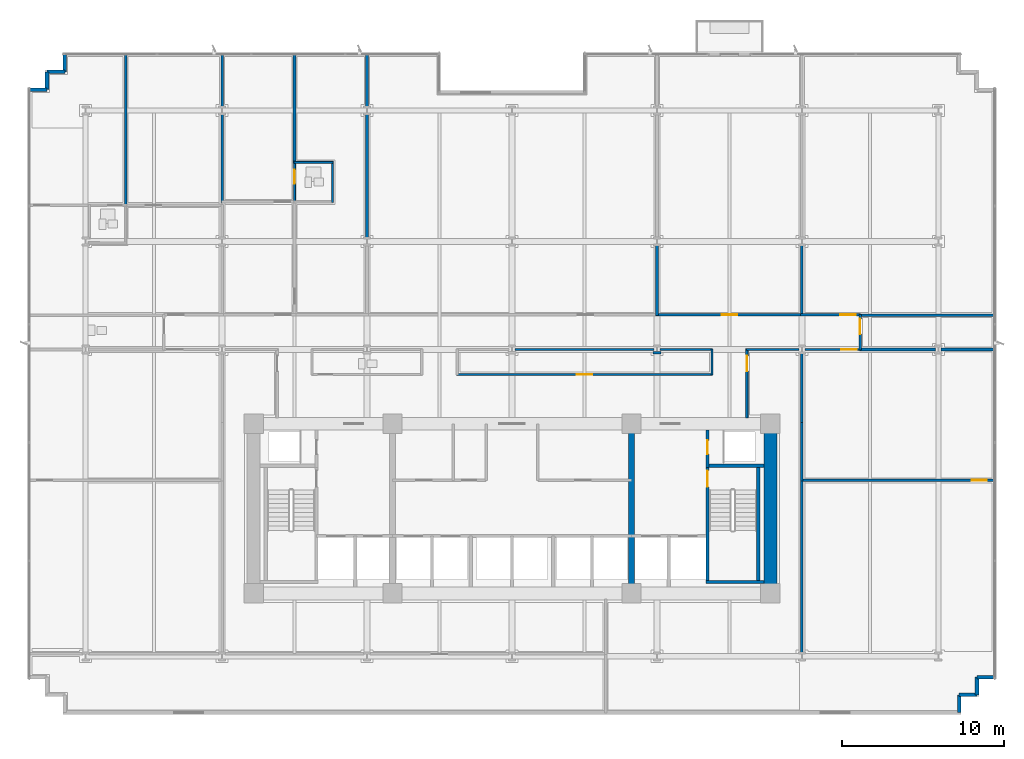
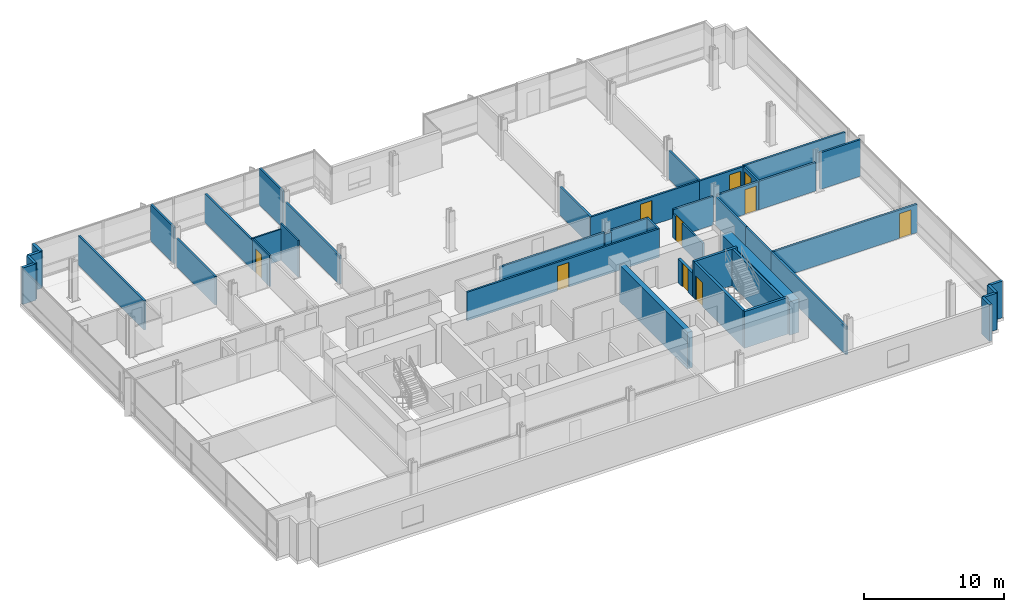
# One storey, part 14 of 20: 44 walls, 10 doors, 10 openings.
"""IFC4 building model written with IfcOpenShell, lengths in metres."""

from ifc_helpers import new_model, si_unit, direction, frame, frame_2d, origin, place, context, subcontext, project, spatial, rectangle, extrude, material, layer, layer_set, type_object, element, fill, save


model = new_model("IFC4")

# Units and contexts
model_context = context("Model", 3, precision=1e-05, world=origin(), true_north=direction((0.0, 1.0)))
body_context = subcontext(model_context, "Body", "Model", "MODEL_VIEW")
ifc_project = project(units=[si_unit("LENGTHUNIT", "METRE"), si_unit("AREAUNIT", "SQUARE_METRE"), si_unit("VOLUMEUNIT", "CUBIC_METRE"), si_unit("PLANEANGLEUNIT", "RADIAN"), si_unit("MASSUNIT", "GRAM", prefix="KILO")], contexts=[model_context])

# Site, building, storey
site_placement = place(None, origin())
site = spatial("IfcSite", under=ifc_project, at=site_placement, CompositionType="ELEMENT")
building_placement = place(site_placement, origin())
building = spatial("IfcBuilding", under=site, at=building_placement, Name="Solmavex Isthmus Hotel", CompositionType="ELEMENT")
storey_placement = place(building_placement, frame((0.0, 0.0, 57.449951171875)))
storey = spatial("IfcBuildingStorey", under=building, at=storey_placement, Name="L15", CompositionType="ELEMENT", Elevation=57.449951171875)

# Walls
ifc_material_1 = material(Name="Precast Concrete C40/50", Category="concrete")
ifc_layer_1 = layer(ifc_material_1, 0.25)
ifc_layer_set_1 = layer_set([ifc_layer_1], Name="Precast Concrete C40/50")
wall_type_1 = type_object("IfcWallType", Name="EW-TWR-250", PredefinedType="STANDARD", material=ifc_layer_set_1)
wall_1_placement = place(storey_placement, frame((-29.889892578125, 18.18994140625, 0.0), z_axis=(0.0, 0.0, 1.0), x_axis=(1.0, 0.0, 0.0)))
element("IfcWall", 1, at=wall_1_placement, inside=storey, type_object=wall_type_1, Name="Serrated Corner Facade Panel L15-06", PredefinedType="STANDARD", context=body_context, shape_type="SweptSolid", body=[
    extrude(rectangle(XDim=1.099853515625, YDim=0.219970703125, at=frame_2d((0.5498046875, 0.0))), origin(), (0.0, 0.0, 1.0), 3.18994140625),
])
for number, where, z_axis, x_axis, name in (
    (2, (-28.7900390625, 18.18994140625, 0.0), (0.0, 0.0, 1.0), (0.0, 1.0, 0.0), "Serrated Corner Facade Panel L15-07"),
    (3, (-28.7900390625, 19.2900390625, 0.0), (0.0, 0.0, 1.0), (1.0, 0.0, 0.0), "Serrated Corner Facade Panel L15-08"),
):
    element("IfcWall", number, at=place(storey_placement, frame(where, z_axis=z_axis, x_axis=x_axis)), inside=storey, type_object=wall_type_1, Name=name, PredefinedType="STANDARD", context=body_context, shape_type="SweptSolid", body=[
        extrude(rectangle(XDim=1.10009765625, YDim=0.219970703125, at=frame_2d((0.550048828125, 0.0))), origin(), (0.0, 0.0, 1.0), 3.18994140625),
    ])
for number, where, z_axis, x_axis, name in (
    (4, (-27.68994140625, 19.2900390625, 0.0), (0.0, 0.0, 1.0), (0.0, 1.0, 0.0), "Serrated Corner Facade Panel L15-09"),
    (5, (29.889892578125, -18.18994140625, 0.0), (0.0, 0.0, 1.0), (-1.0, 0.0, 0.0), "Serrated Corner Facade Panel L15-16"),
):
    element("IfcWall", number, at=place(storey_placement, frame(where, z_axis=z_axis, x_axis=x_axis)), inside=storey, type_object=wall_type_1, Name=name, PredefinedType="STANDARD", context=body_context, shape_type="SweptSolid", body=[
        extrude(rectangle(XDim=1.099853515625, YDim=0.219970703125, at=frame_2d((0.5498046875, 0.0))), origin(), (0.0, 0.0, 1.0), 3.18994140625),
    ])
for number, where, z_axis, x_axis, name in (
    (6, (28.7900390625, -18.18994140625, 0.0), (0.0, 0.0, 1.0), (0.0, -1.0, 0.0), "Serrated Corner Facade Panel L15-17"),
    (7, (28.7900390625, -19.2900390625, 0.0), (0.0, 0.0, 1.0), (-1.0, 0.0, 0.0), "Serrated Corner Facade Panel L15-18"),
):
    element("IfcWall", number, at=place(storey_placement, frame(where, z_axis=z_axis, x_axis=x_axis)), inside=storey, type_object=wall_type_1, Name=name, PredefinedType="STANDARD", context=body_context, shape_type="SweptSolid", body=[
        extrude(rectangle(XDim=1.10009765625, YDim=0.219970703125, at=frame_2d((0.550048828125, 0.0))), origin(), (0.0, 0.0, 1.0), 3.18994140625),
    ])
wall_2_placement = place(storey_placement, frame((27.68994140625, -19.2900390625, 0.0), z_axis=(0.0, 0.0, 1.0), x_axis=(0.0, -1.0, 0.0)))
element("IfcWall", 8, at=wall_2_placement, inside=storey, type_object=wall_type_1, Name="Serrated Corner Facade Panel L15-19", PredefinedType="STANDARD", context=body_context, shape_type="SweptSolid", body=[
    extrude(rectangle(XDim=1.099853515625, YDim=0.219970703125, at=frame_2d((0.5498046875, 0.0))), origin(), (0.0, 0.0, 1.0), 3.18994140625),
])
ifc_material_2 = material(Name="Gypsum plasterboard lining", Category="gypsum")
ifc_layer_2 = layer(ifc_material_2, 0.159912109375)
ifc_layer_set_2 = layer_set([ifc_layer_2], Name="Gypsum plasterboard lining")
wall_type_2 = type_object("IfcWallType", Name="IW-COMP-160", PredefinedType="PARTITIONING", material=ifc_layer_set_2)
wall_3_placement = place(storey_placement, frame((-23.916015625, 20.419921875, 0.0), z_axis=(0.0, 0.0, 1.0), x_axis=(0.0, -1.0, 0.0)))
element("IfcWall", 9, at=wall_3_placement, inside=storey, type_object=wall_type_2, Name="Interior Partition Wall W-L15-P037", PredefinedType="PARTITIONING", context=body_context, shape_type="SweptSolid", body=[
    extrude(rectangle(XDim=9.421875, YDim=0.159912109375, at=frame_2d((4.7109375, 0.0))), origin(), (0.0, 0.0, 1.0), 2.55322265625),
])
wall_4_placement = place(storey_placement, frame((-17.951904296875, 16.72509765625, 0.0), z_axis=(0.0, 0.0, 1.0), x_axis=(0.0, -1.0, 0.0)))
element("IfcWall", 10, at=wall_4_placement, inside=storey, type_object=wall_type_2, Name="Interior Partition Wall W-L15-P039", PredefinedType="PARTITIONING", context=body_context, shape_type="SweptSolid", body=[
    extrude(rectangle(XDim=5.569091796875, YDim=0.159912109375, at=frame_2d((2.78466796875, 0.0))), origin(), (0.0, 0.0, 1.0), 2.4794921875),
])
wall_5_placement = place(storey_placement, frame((-17.951904296875, 20.419921875, 0.0), z_axis=(0.0, 0.0, 1.0), x_axis=(0.0, -1.0, 0.0)))
element("IfcWall", 11, at=wall_5_placement, inside=storey, type_object=wall_type_2, Name="Interior Partition Wall W-L15-P040", PredefinedType="PARTITIONING", context=body_context, shape_type="SweptSolid", body=[
    extrude(rectangle(XDim=3.344970703125, YDim=0.159912109375, at=frame_2d((1.67236328125, 0.0))), origin(), (0.0, 0.0, 1.0), 3.18994140625),
])
wall_6_placement = place(storey_placement, frame((-13.464111328125, 20.419921875, 0.0), z_axis=(0.0, 0.0, 1.0), x_axis=(0.0, -1.0, 0.0)))
element("IfcWall", 12, at=wall_6_placement, inside=storey, type_object=wall_type_2, Name="Interior Partition Wall W-L15-P043", PredefinedType="PARTITIONING", context=body_context, shape_type="SweptSolid", body=[
    extrude(rectangle(XDim=6.81396484375, YDim=0.159912109375, at=frame_2d((3.406982421875, 0.0))), origin(), (0.0, 0.0, 1.0), 2.55322265625),
])
wall_7_placement = place(storey_placement, frame((-8.97607421875, 16.72509765625, 0.0), z_axis=(0.0, 0.0, 1.0), x_axis=(0.0, -1.0, 0.0)))
element("IfcWall", 13, at=wall_7_placement, inside=storey, type_object=wall_type_2, Name="Interior Partition Wall W-L15-P049", PredefinedType="PARTITIONING", context=body_context, shape_type="SweptSolid", body=[
    extrude(rectangle(XDim=7.76220703125, YDim=0.159912109375, at=frame_2d((3.881103515625, 0.0))), origin(), (0.0, 0.0, 1.0), 2.4794921875),
])
wall_8_placement = place(storey_placement, frame((-8.97607421875, 20.419921875, 0.0), z_axis=(0.0, 0.0, 1.0), x_axis=(0.0, -1.0, 0.0)))
element("IfcWall", 14, at=wall_8_placement, inside=storey, type_object=wall_type_2, Name="Interior Partition Wall W-L15-P050", PredefinedType="PARTITIONING", context=body_context, shape_type="SweptSolid", body=[
    extrude(rectangle(XDim=3.344970703125, YDim=0.159912109375, at=frame_2d((1.67236328125, 0.0))), origin(), (0.0, 0.0, 1.0), 3.18994140625),
])
for number, where, z_axis, x_axis, name in (
    (15, (8.97607421875, 8.613037109375, 0.0), (0.0, 0.0, 1.0), (0.0, -1.0, 0.0), "Interior Partition Wall W-L15-P051"),
    (16, (17.951904296875, 8.613037109375, 0.0), (0.0, 0.0, 1.0), (0.0, -1.0, 0.0), "Interior Partition Wall W-L15-P054"),
):
    element("IfcWall", number, at=place(storey_placement, frame(where, z_axis=z_axis, x_axis=x_axis)), inside=storey, type_object=wall_type_2, Name=name, PredefinedType="PARTITIONING", context=body_context, shape_type="SweptSolid", body=[
        extrude(rectangle(XDim=4.403076171875, YDim=0.159912109375, at=frame_2d((2.20166015625, 0.0))), origin(), (0.0, 0.0, 1.0), 2.4794921875),
    ])
wall_9_placement = place(storey_placement, frame((29.919921875, 4.22998046875, 0.0), z_axis=(0.0, 0.0, 1.0), x_axis=(-1.0, 0.0, 0.0)))
element("IfcWall", 17, at=wall_9_placement, inside=storey, type_object=wall_type_2, Name="Interior Partition Wall W-L15-P057", PredefinedType="PARTITIONING", context=body_context, shape_type="SweptSolid", body=[
    extrude(rectangle(XDim=8.407958984375, YDim=0.159912109375, at=frame_2d((4.2041015625, 0.0))), origin(), (0.0, 0.0, 1.0), 2.55322265625),
])
wall_10_placement = place(storey_placement, frame((26.22509765625, 2.10009765625, 0.0), z_axis=(0.0, 0.0, 1.0), x_axis=(-1.0, 0.0, 0.0)))
element("IfcWall", 18, at=wall_10_placement, inside=storey, type_object=wall_type_2, Name="Interior Partition Wall W-L15-P060", PredefinedType="PARTITIONING", context=body_context, shape_type="SweptSolid", body=[
    extrude(rectangle(XDim=4.713134765625, YDim=0.159912109375, at=frame_2d((2.3564453125, 0.0))), origin(), (0.0, 0.0, 1.0), 2.4794921875),
])
wall_11_placement = place(storey_placement, frame((29.919921875, 2.10009765625, 0.0), z_axis=(0.0, 0.0, 1.0), x_axis=(-1.0, 0.0, 0.0)))
element("IfcWall", 19, at=wall_11_placement, inside=storey, type_object=wall_type_2, Name="Interior Partition Wall W-L15-P061", PredefinedType="PARTITIONING", context=body_context, shape_type="SweptSolid", body=[
    extrude(rectangle(XDim=3.344970703125, YDim=0.159912109375, at=frame_2d((1.67236328125, 0.0))), origin(), (0.0, 0.0, 1.0), 3.18994140625),
])
wall_12_placement = place(storey_placement, frame((17.951904296875, -6.0400390625, 0.0), z_axis=(0.0, 0.0, 1.0), x_axis=(0.0, 1.0, 0.0)))
element("IfcWall", 20, at=wall_12_placement, inside=storey, type_object=wall_type_2, Name="Interior Partition Wall W-L15-P065", PredefinedType="PARTITIONING", context=body_context, shape_type="SweptSolid", body=[
    extrude(rectangle(XDim=3.630126953125, YDim=0.159912109375, at=frame_2d((1.81494140625, 0.0))), origin(), (0.0, 0.0, 1.0), 2.4794921875),
])
wall_13_placement = place(storey_placement, frame((17.951904296875, -2.489990234375, 0.0), z_axis=(0.0, 0.0, 1.0), x_axis=(0.0, 1.0, 0.0)))
element("IfcWall", 21, at=wall_13_placement, inside=storey, type_object=wall_type_2, Name="Interior Partition Wall W-L15-P066", PredefinedType="PARTITIONING", context=body_context, shape_type="SweptSolid", body=[
    extrude(rectangle(XDim=4.4150390625, YDim=0.159912109375, at=frame_2d((2.20751953125, 0.0))), origin(), (0.0, 0.0, 1.0), 2.4794921875),
])

# Wall, opening, door
wall_14_placement = place(storey_placement, frame((29.919921875, -6.0, 0.0), z_axis=(0.0, 0.0, 1.0), x_axis=(-1.0, 0.0, 0.0)))
wall_14 = element("IfcWall", 22, at=wall_14_placement, inside=storey, type_object=wall_type_2, Name="Interior Partition Wall W-L15-P067", PredefinedType="PARTITIONING", context=body_context, shape_type="SweptSolid", body=[
    extrude(rectangle(XDim=12.0078125, YDim=0.159912109375, at=frame_2d((6.00390625, 0.0))), origin(), (0.0, 0.0, 1.0), 2.4794921875),
])
opening_1_placement = place(wall_14_placement, frame((0.519287109375, 0.0, 0.0)))
opening_1 = element("IfcOpeningElement", 23, at=opening_1_placement, cuts=wall_14, Name="Opening ID-C095", PredefinedType="OPENING", context=body_context, shape_type="SweptSolid", body=[
    extrude(rectangle(XDim=0.949951171875, YDim=2.14990234375, at=frame_2d((0.47509765625, 1.074951171875))), frame((0.0, 0.08984375, 0.0), z_axis=(0.0, -1.0, 0.0), x_axis=(1.0, 0.0, 0.0)), (0.0, 0.0, 1.0), 0.179931640625),
])
ifc_material_3 = material(Name="Hardwood timber", Category="wood")
door_type_1 = type_object("IfcDoorType", Name="IDR-FD60-0950", OperationType="NOTDEFINED", PredefinedType="DOOR", material=ifc_material_3)
door_1_placement = place(opening_1_placement, origin())
door_1 = element("IfcDoor", 24, at=door_1_placement, inside=storey, type_object=door_type_1, Name="Corporate Briefing Office Door L15-22", OperationType="SINGLE_SWING_RIGHT", OverallHeight=2.14990234375, OverallWidth=0.949951171875, PredefinedType="DOOR", context=body_context, shape_type="SweptSolid", body=[
    extrude(rectangle(XDim=0.949951171875, YDim=2.14990234375, at=frame_2d((0.47509765625, 1.074951171875))), frame((0.0, 0.02490234375, 0.0), z_axis=(0.0, -1.0, 0.0), x_axis=(1.0, 0.0, 0.0)), (0.0, 0.0, 1.0), 0.050048828125),
])
fill(opening_1, door_1)

# Wall
wall_15_placement = place(storey_placement, frame((17.951904296875, -5.91796875, 0.0), z_axis=(0.0, 0.0, 1.0), x_axis=(0.0, -1.0, 0.0)))
element("IfcWall", 25, at=wall_15_placement, inside=storey, type_object=wall_type_2, Name="Interior Partition Wall W-L15-P074", PredefinedType="PARTITIONING", context=body_context, shape_type="SweptSolid", body=[
    extrude(rectangle(XDim=10.80712890625, YDim=0.159912109375, at=frame_2d((5.403564453125, 0.0))), origin(), (0.0, 0.0, 1.0), 2.4794921875),
])

# Wall, opening, door
ifc_layer_3 = layer(ifc_material_2, 0.14990234375)
ifc_layer_set_3 = layer_set([ifc_layer_3], Name="Gypsum plasterboard lining")
wall_type_3 = type_object("IfcWallType", Name="IW-CORR-150", PredefinedType="PARTITIONING", material=ifc_layer_set_3)
wall_16_placement = place(storey_placement, frame((8.89404296875, 4.25, 0.0), z_axis=(0.0, 0.0, 1.0), x_axis=(1.0, 0.0, 0.0)))
wall_16 = element("IfcWall", 26, at=wall_16_placement, inside=storey, type_object=wall_type_3, Name="Interior Partition Wall W-L15-P005", PredefinedType="PARTITIONING", context=body_context, shape_type="SweptSolid", body=[
    extrude(rectangle(XDim=9.139892578125, YDim=0.14990234375, at=frame_2d((4.56982421875, 0.0))), origin(), (0.0, 0.0, 1.0), 2.4794921875),
])
opening_2_placement = place(wall_16_placement, frame((4.094970703125, 0.0, 0.0)))
opening_2 = element("IfcOpeningElement", 27, at=opening_2_placement, cuts=wall_16, Name="Opening ID-C095", PredefinedType="OPENING", context=body_context, shape_type="SweptSolid", body=[
    extrude(rectangle(XDim=0.949951171875, YDim=2.14990234375, at=frame_2d((0.47509765625, 1.074951171875))), frame((0.0, 0.0849609375, 0.0), z_axis=(0.0, -1.0, 0.0), x_axis=(1.0, 0.0, 0.0)), (0.0, 0.0, 1.0), 0.169921875),
])
door_2_placement = place(opening_2_placement, origin())
door_2 = element("IfcDoor", 28, at=door_2_placement, inside=storey, type_object=door_type_1, Name="Atrium Overlook Lounge Door L15-10", OperationType="SINGLE_SWING_RIGHT", OverallHeight=2.14990234375, OverallWidth=0.949951171875, PredefinedType="DOOR", context=body_context, shape_type="SweptSolid", body=[
    extrude(rectangle(XDim=0.949951171875, YDim=2.14990234375, at=frame_2d((0.47509765625, 1.074951171875))), frame((0.0, 0.02490234375, 0.0), z_axis=(0.0, -1.0, 0.0), x_axis=(1.0, 0.0, 0.0)), (0.0, 0.0, 1.0), 0.050048828125),
])
fill(opening_2, door_2)

wall_17_placement = place(storey_placement, frame((17.8701171875, 4.25, 0.0), z_axis=(0.0, 0.0, 1.0), x_axis=(1.0, 0.0, 0.0)))
wall_17 = element("IfcWall", 29, at=wall_17_placement, inside=storey, type_object=wall_type_3, Name="Interior Partition Wall W-L15-P006", PredefinedType="PARTITIONING", context=body_context, shape_type="SweptSolid", body=[
    extrude(rectangle(XDim=3.721923828125, YDim=0.14990234375, at=frame_2d((1.86083984375, 0.0))), origin(), (0.0, 0.0, 1.0), 2.4794921875),
])
opening_3_placement = place(wall_17_placement, frame((2.456787109375, 0.0, 0.0)))
opening_3 = element("IfcOpeningElement", 30, at=opening_3_placement, cuts=wall_17, Name="Opening ID-C095", PredefinedType="OPENING", context=body_context, shape_type="SweptSolid", body=[
    extrude(rectangle(XDim=0.949951171875, YDim=2.14990234375, at=frame_2d((0.47509765625, 1.074951171875))), frame((0.0, 0.0849609375, 0.0), z_axis=(0.0, -1.0, 0.0), x_axis=(1.0, 0.0, 0.0)), (0.0, 0.0, 1.0), 0.169921875),
])
door_3_placement = place(opening_3_placement, origin())
door_3 = element("IfcDoor", 31, at=door_3_placement, inside=storey, type_object=door_type_1, Name="Corporate Briefing Office Door L15-11", OperationType="SINGLE_SWING_LEFT", OverallHeight=2.14990234375, OverallWidth=0.949951171875, PredefinedType="DOOR", context=body_context, shape_type="SweptSolid", body=[
    extrude(rectangle(XDim=0.949951171875, YDim=2.14990234375, at=frame_2d((0.47509765625, 1.074951171875))), frame((0.0, 0.02490234375, 0.0), z_axis=(0.0, -1.0, 0.0), x_axis=(1.0, 0.0, 0.0)), (0.0, 0.0, 1.0), 0.050048828125),
])
fill(opening_3, door_3)

wall_18_placement = place(storey_placement, frame((21.552001953125, 4.27001953125, 0.0), z_axis=(0.0, 0.0, 1.0), x_axis=(0.0, -1.0, 0.0)))
wall_18 = element("IfcWall", 32, at=wall_18_placement, inside=storey, type_object=wall_type_3, Name="Interior Partition Wall W-L15-P014", PredefinedType="PARTITIONING", context=body_context, shape_type="SweptSolid", body=[
    extrude(rectangle(XDim=2.2099609375, YDim=0.14990234375, at=frame_2d((1.10498046875, 0.0))), origin(), (0.0, 0.0, 1.0), 2.4794921875),
])
opening_4_placement = place(wall_18_placement, frame((0.272216796875, 0.0, 0.0)))
opening_4 = element("IfcOpeningElement", 33, at=opening_4_placement, cuts=wall_18, Name="Opening ID-C095", PredefinedType="OPENING", context=body_context, shape_type="SweptSolid", body=[
    extrude(rectangle(XDim=0.949951171875, YDim=2.14990234375, at=frame_2d((0.47509765625, 1.074951171875))), frame((0.0, 0.0849609375, 0.0), z_axis=(0.0, -1.0, 0.0), x_axis=(1.0, 0.0, 0.0)), (0.0, 0.0, 1.0), 0.169921875),
])
door_4_placement = place(opening_4_placement, origin())
door_4 = element("IfcDoor", 34, at=door_4_placement, inside=storey, type_object=door_type_1, Name="Executive Meeting Room Door L15-14", OperationType="SINGLE_SWING_RIGHT", OverallHeight=2.14990234375, OverallWidth=0.949951171875, PredefinedType="DOOR", context=body_context, shape_type="SweptSolid", body=[
    extrude(rectangle(XDim=0.949951171875, YDim=2.14990234375, at=frame_2d((0.47509765625, 1.074951171875))), frame((0.0, 0.02490234375, 0.0), z_axis=(0.0, -1.0, 0.0), x_axis=(1.0, 0.0, 0.0)), (0.0, 0.0, 1.0), 0.050048828125),
])
fill(opening_4, door_4)

wall_19_placement = place(storey_placement, frame((-3.427978515625, 0.550048828125, 0.0), z_axis=(0.0, 0.0, 1.0), x_axis=(1.0, 0.0, 0.0)))
wall_19 = element("IfcWall", 35, at=wall_19_placement, inside=storey, type_object=wall_type_3, Name="Interior Partition Wall W-L15-P017", PredefinedType="PARTITIONING", context=body_context, shape_type="SweptSolid", body=[
    extrude(rectangle(XDim=15.85205078125, YDim=0.14990234375, at=frame_2d((7.926025390625, 0.0))), origin(), (0.0, 0.0, 1.0), 2.4794921875),
])
opening_5_placement = place(wall_19_placement, frame((7.450927734375, 0.0, 0.0)))
opening_5 = element("IfcOpeningElement", 36, at=opening_5_placement, cuts=wall_19, Name="Opening ID-C095", PredefinedType="OPENING", context=body_context, shape_type="SweptSolid", body=[
    extrude(rectangle(XDim=0.949951171875, YDim=2.14990234375, at=frame_2d((0.47509765625, 1.074951171875))), frame((0.0, 0.0849609375, 0.0), z_axis=(0.0, -1.0, 0.0), x_axis=(1.0, 0.0, 0.0)), (0.0, 0.0, 1.0), 0.169921875),
])
door_5_placement = place(opening_5_placement, origin())
door_5 = element("IfcDoor", 37, at=door_5_placement, inside=storey, type_object=door_type_1, Name="Private Focus Study Door L15-15", OperationType="SINGLE_SWING_LEFT", OverallHeight=2.14990234375, OverallWidth=0.949951171875, PredefinedType="DOOR", context=body_context, shape_type="SweptSolid", body=[
    extrude(rectangle(XDim=0.949951171875, YDim=2.14990234375, at=frame_2d((0.47509765625, 1.074951171875))), frame((0.0, 0.02490234375, 0.0), z_axis=(0.0, -1.0, 0.0), x_axis=(1.0, 0.0, 0.0)), (0.0, 0.0, 1.0), 0.050048828125),
])
fill(opening_5, door_5)

# Walls
wall_20_placement = place(storey_placement, frame((12.384033203125, 0.510009765625, 0.0), z_axis=(0.0, 0.0, 1.0), x_axis=(0.0, 1.0, 0.0)))
element("IfcWall", 38, at=wall_20_placement, inside=storey, type_object=wall_type_3, Name="Interior Partition Wall W-L15-P018", PredefinedType="PARTITIONING", context=body_context, shape_type="SweptSolid", body=[
    extrude(rectangle(XDim=1.6298828125, YDim=0.14990234375, at=frame_2d((0.81494140625, 0.0))), origin(), (0.0, 0.0, 1.0), 2.4794921875),
])
wall_21_placement = place(storey_placement, frame((12.424072265625, 2.10009765625, 0.0), z_axis=(0.0, 0.0, 1.0), x_axis=(-1.0, 0.0, 0.0)))
element("IfcWall", 39, at=wall_21_placement, inside=storey, type_object=wall_type_3, Name="Interior Partition Wall W-L15-P019", PredefinedType="PARTITIONING", context=body_context, shape_type="SweptSolid", body=[
    extrude(rectangle(XDim=3.273193359375, YDim=0.14990234375, at=frame_2d((1.63671875, 0.0))), origin(), (0.0, 0.0, 1.0), 2.4794921875),
])
wall_22_placement = place(storey_placement, frame((9.23095703125, 1.885009765625, 0.0), z_axis=(0.0, 0.0, 1.0), x_axis=(-1.0, 0.0, 0.0)))
element("IfcWall", 40, at=wall_22_placement, inside=storey, type_object=wall_type_3, Name="Interior Partition Wall W-L15-P020", PredefinedType="PARTITIONING", context=body_context, shape_type="SweptSolid", body=[
    extrude(rectangle(XDim=0.510009765625, YDim=0.14990234375, at=frame_2d((0.2548828125, 0.0))), origin(), (0.0, 0.0, 1.0), 2.4794921875),
])
wall_23_placement = place(storey_placement, frame((8.801025390625, 2.10009765625, 0.0), z_axis=(0.0, 0.0, 1.0), x_axis=(-1.0, 0.0, 0.0)))
element("IfcWall", 41, at=wall_23_placement, inside=storey, type_object=wall_type_3, Name="Interior Partition Wall W-L15-P021", PredefinedType="PARTITIONING", context=body_context, shape_type="SweptSolid", body=[
    extrude(rectangle(XDim=8.6259765625, YDim=0.14990234375, at=frame_2d((4.31298828125, 0.0))), origin(), (0.0, 0.0, 1.0), 2.4794921875),
])

# Wall, opening, door
wall_24_placement = place(storey_placement, frame((21.592041015625, 2.10009765625, 0.0), z_axis=(0.0, 0.0, 1.0), x_axis=(-1.0, 0.0, 0.0)))
wall_24 = element("IfcWall", 42, at=wall_24_placement, inside=storey, type_object=wall_type_3, Name="Interior Partition Wall W-L15-P024", PredefinedType="PARTITIONING", context=body_context, shape_type="SweptSolid", body=[
    extrude(rectangle(XDim=3.465087890625, YDim=0.14990234375, at=frame_2d((1.732421875, 0.0))), origin(), (0.0, 0.0, 1.0), 2.4794921875),
])
opening_6_placement = place(wall_24_placement, frame((0.26220703125, 0.0, 0.0)))
opening_6 = element("IfcOpeningElement", 43, at=opening_6_placement, cuts=wall_24, Name="Opening ID-C095", PredefinedType="OPENING", context=body_context, shape_type="SweptSolid", body=[
    extrude(rectangle(XDim=0.949951171875, YDim=2.14990234375, at=frame_2d((0.47509765625, 1.074951171875))), frame((0.0, 0.0849609375, 0.0), z_axis=(0.0, -1.0, 0.0), x_axis=(1.0, 0.0, 0.0)), (0.0, 0.0, 1.0), 0.169921875),
])
door_6_placement = place(opening_6_placement, origin())
door_6 = element("IfcDoor", 44, at=door_6_placement, inside=storey, type_object=door_type_1, Name="Business Briefing Office Door L15-17", OperationType="SINGLE_SWING_LEFT", OverallHeight=2.14990234375, OverallWidth=0.949951171875, PredefinedType="DOOR", context=body_context, shape_type="SweptSolid", body=[
    extrude(rectangle(XDim=0.949951171875, YDim=2.14990234375, at=frame_2d((0.47509765625, 1.074951171875))), frame((0.0, 0.02490234375, 0.0), z_axis=(0.0, -1.0, 0.0), x_axis=(1.0, 0.0, 0.0)), (0.0, 0.0, 1.0), 0.050048828125),
])
fill(opening_6, door_6)

# Wall
wall_25_placement = place(storey_placement, frame((17.777099609375, 2.10009765625, 0.0), z_axis=(0.0, 0.0, 1.0), x_axis=(-1.0, 0.0, 0.0)))
element("IfcWall", 45, at=wall_25_placement, inside=storey, type_object=wall_type_3, Name="Interior Partition Wall W-L15-P027", PredefinedType="PARTITIONING", context=body_context, shape_type="SweptSolid", body=[
    extrude(rectangle(XDim=3.273193359375, YDim=0.14990234375, at=frame_2d((1.63671875, 0.0))), origin(), (0.0, 0.0, 1.0), 2.4794921875),
])

# Wall, opening, door
wall_26_placement = place(storey_placement, frame((14.5439453125, 2.139892578125, 0.0), z_axis=(0.0, 0.0, 1.0), x_axis=(0.0, -1.0, 0.0)))
wall_26 = element("IfcWall", 46, at=wall_26_placement, inside=storey, type_object=wall_type_3, Name="Interior Partition Wall W-L15-P028", PredefinedType="PARTITIONING", context=body_context, shape_type="SweptSolid", body=[
    extrude(rectangle(XDim=4.27978515625, YDim=0.14990234375, at=frame_2d((2.139892578125, 0.0))), origin(), (0.0, 0.0, 1.0), 2.074951171875),
])
opening_7_placement = place(wall_26_placement, frame((0.43017578125, 0.0, 0.0)))
opening_7 = element("IfcOpeningElement", 47, at=opening_7_placement, cuts=wall_26, Name="Opening ID-C095", PredefinedType="OPENING", context=body_context, shape_type="SweptSolid", body=[
    extrude(rectangle(XDim=0.949951171875, YDim=2.14990234375, at=frame_2d((0.47509765625, 1.074951171875))), frame((0.0, 0.0849609375, 0.0), z_axis=(0.0, -1.0, 0.0), x_axis=(1.0, 0.0, 0.0)), (0.0, 0.0, 1.0), 0.169921875),
])
door_7_placement = place(opening_7_placement, frame((0.949951171875, 0.0, 0.0), z_axis=(0.0, 0.0, 1.0), x_axis=(-1.0, 0.0, 0.0)))
door_7 = element("IfcDoor", 48, at=door_7_placement, inside=storey, type_object=door_type_1, Name="Executive Hospitality Lounge Door L15-19", OperationType="SINGLE_SWING_LEFT", OverallHeight=2.14990234375, OverallWidth=0.949951171875, PredefinedType="DOOR", context=body_context, shape_type="SweptSolid", body=[
    extrude(rectangle(XDim=0.949951171875, YDim=2.14990234375, at=frame_2d((0.47509765625, 1.074951171875))), frame((0.0, 0.02490234375, 0.0), z_axis=(0.0, -1.0, 0.0), x_axis=(1.0, 0.0, 0.0)), (0.0, 0.0, 1.0), 0.050048828125),
])
fill(opening_7, door_7)

ifc_layer_4 = layer(ifc_material_2, 0.1201171875)
ifc_layer_set_4 = layer_set([ifc_layer_4], Name="Gypsum plasterboard lining")
wall_type_4 = type_object("IfcWallType", Name="IW-PART-120", PredefinedType="PARTITIONING", material=ifc_layer_set_4)
wall_27_placement = place(storey_placement, frame((-13.464111328125, 13.77001953125, 0.0), z_axis=(0.0, 0.0, 1.0), x_axis=(0.0, -1.0, 0.0)))
wall_27 = element("IfcWall", 49, at=wall_27_placement, inside=storey, type_object=wall_type_4, Name="Interior Partition Wall W-L15-P044", PredefinedType="PARTITIONING", context=body_context, shape_type="SweptSolid", body=[
    extrude(rectangle(XDim=2.572021484375, YDim=0.1201171875, at=frame_2d((1.2861328125, 0.0))), origin(), (0.0, 0.0, 1.0), 2.71826171875),
])
opening_8_placement = place(wall_27_placement, frame((0.547119140625, 0.0, 0.0)))
opening_8 = element("IfcOpeningElement", 50, at=opening_8_placement, cuts=wall_27, Name="Opening ID-U085", PredefinedType="OPENING", context=body_context, shape_type="SweptSolid", body=[
    extrude(rectangle(XDim=0.85009765625, YDim=2.10009765625, at=frame_2d((0.425048828125, 1.050048828125))), frame((0.0, 0.070068359375, 0.0), z_axis=(0.0, -1.0, 0.0), x_axis=(1.0, 0.0, 0.0)), (0.0, 0.0, 1.0), 0.14013671875),
])
door_type_2 = type_object("IfcDoorType", Name="IDR-UNR-0850", OperationType="NOTDEFINED", PredefinedType="DOOR", material=ifc_material_3)
door_8_placement = place(opening_8_placement, origin())
door_8 = element("IfcDoor", 51, at=door_8_placement, inside=storey, type_object=door_type_2, Name="En-suite Bathroom Door L15-08", OperationType="SINGLE_SWING_RIGHT", OverallHeight=2.10009765625, OverallWidth=0.85009765625, PredefinedType="DOOR", context=body_context, shape_type="SweptSolid", body=[
    extrude(rectangle(XDim=0.85009765625, YDim=2.10009765625, at=frame_2d((0.425048828125, 1.050048828125))), frame((0.0, 0.02490234375, 0.0), z_axis=(0.0, -1.0, 0.0), x_axis=(1.0, 0.0, 0.0)), (0.0, 0.0, 1.0), 0.050048828125),
])
fill(opening_8, door_8)

# Walls
wall_28_placement = place(storey_placement, frame((-11.114013671875, 11.197998046875, 0.0), z_axis=(0.0, 0.0, 1.0), x_axis=(0.0, 1.0, 0.0)))
element("IfcWall", 52, at=wall_28_placement, inside=storey, type_object=wall_type_4, Name="Interior Partition Wall W-L15-P046", PredefinedType="PARTITIONING", context=body_context, shape_type="SweptSolid", body=[
    extrude(rectangle(XDim=2.530029296875, YDim=0.1201171875, at=frame_2d((1.26513671875, 0.0))), origin(), (0.0, 0.0, 1.0), 3.18994140625),
])
wall_29_placement = place(storey_placement, frame((-11.073974609375, 13.68798828125, 0.0), z_axis=(0.0, 0.0, 1.0), x_axis=(-1.0, 0.0, 0.0)))
element("IfcWall", 53, at=wall_29_placement, inside=storey, type_object=wall_type_4, Name="Interior Partition Wall W-L15-P047", PredefinedType="PARTITIONING", context=body_context, shape_type="SweptSolid", body=[
    extrude(rectangle(XDim=2.429931640625, YDim=0.1201171875, at=frame_2d((1.21484375, 0.0))), origin(), (0.0, 0.0, 1.0), 2.71826171875),
])

# Wall, opening, door
ifc_material_4 = material(Name="Concrete C40/50", Category="concrete")
ifc_layer_5 = layer(ifc_material_4, 0.199951171875)
ifc_layer_set_5 = layer_set([ifc_layer_5], Name="Concrete C40/50")
wall_type_5 = type_object("IfcWallType", Name="IW-SHAFT-200", PredefinedType="PARTITIONING", material=ifc_layer_set_5)
wall_30_placement = place(storey_placement, frame((12.10009765625, -5.199951171875, 0.0), z_axis=(0.0, 0.0, 1.0), x_axis=(0.0, 1.0, 0.0)))
wall_30 = element("IfcWall", 54, at=wall_30_placement, inside=storey, type_object=wall_type_5, Name="Interior Partition Wall W-L15-RSE-W", PredefinedType="PARTITIONING", context=body_context, shape_type="SweptSolid", body=[
    extrude(rectangle(XDim=2.300048828125, YDim=0.199951171875, at=frame_2d((1.14990234375, 0.0))), origin(), (0.0, 0.0, 1.0), 2.074951171875),
])
opening_9_placement = place(wall_30_placement, frame((0.824951171875, 0.0, 0.0)))
opening_9 = element("IfcOpeningElement", 55, at=opening_9_placement, cuts=wall_30, Name="Opening ID-R085", PredefinedType="OPENING", context=body_context, shape_type="SweptSolid", body=[
    extrude(rectangle(XDim=0.85009765625, YDim=2.050048828125, at=frame_2d((0.425048828125, 1.02490234375))), frame((0.0, 0.10986328125, 0.0), z_axis=(0.0, -1.0, 0.0), x_axis=(1.0, 0.0, 0.0)), (0.0, 0.0, 1.0), 0.219970703125),
])
ifc_material_5 = material(Name="Steel ASTM A500 Grade C", Category="steel")
door_type_3 = type_object("IfcDoorType", Name="IDR-FD60-0850", OperationType="NOTDEFINED", PredefinedType="DOOR", material=ifc_material_5)
door_9_placement = place(opening_9_placement, frame((0.85009765625, 0.0, 0.0), z_axis=(0.0, 0.0, 1.0), x_axis=(-1.0, 0.0, 0.0)))
door_9 = element("IfcDoor", 56, at=door_9_placement, inside=storey, type_object=door_type_3, Name="Mechanical Riser Door L15", OperationType="SINGLE_SWING_LEFT", OverallHeight=2.050048828125, OverallWidth=0.85009765625, PredefinedType="DOOR", context=body_context, shape_type="SweptSolid", body=[
    extrude(rectangle(XDim=0.85009765625, YDim=2.050048828125, at=frame_2d((0.425048828125, 1.02490234375))), frame((0.0, 0.02490234375, 0.0), z_axis=(0.0, -1.0, 0.0), x_axis=(1.0, 0.0, 0.0)), (0.0, 0.0, 1.0), 0.050048828125),
])
fill(opening_9, door_9)

# Walls
ifc_material_6 = material(Name="Concrete C70/85", Category="concrete")
ifc_layer_6 = layer(ifc_material_6, 0.39990234375)
ifc_layer_set_6 = layer_set([ifc_layer_6], Name="Concrete C70/85")
wall_type_6 = type_object("IfcWallType", Name="WALL-CW-400L", PredefinedType="SHEAR", material=ifc_layer_set_6)
wall_31_placement = place(storey_placement, frame((7.39990234375, -12.60009765625, 0.0), z_axis=(0.0, 0.0, 1.0), x_axis=(0.0, 1.0, 0.0)))
element("IfcWall", 57, at=wall_31_placement, inside=storey, type_object=wall_type_6, Name="Core Cross Shear Wall C2 L15", PredefinedType="SHEAR", context=body_context, shape_type="SweptSolid", body=[
    extrude(rectangle(XDim=9.7001953125, YDim=0.39990234375, at=frame_2d((4.85009765625, 0.0))), origin(), (0.0, 0.0, 1.0), 3.18994140625),
])
ifc_layer_7 = layer(ifc_material_6, 0.800048828125)
ifc_layer_set_7 = layer_set([ifc_layer_7], Name="Concrete C70/85")
wall_type_7 = type_object("IfcWallType", Name="WALL-CW-800", PredefinedType="SHEAR", material=ifc_layer_set_7)
wall_32_placement = place(storey_placement, frame((16.0, -12.60009765625, 0.0), z_axis=(0.0, 0.0, 1.0), x_axis=(0.0, 1.0, 0.0)))
element("IfcWall", 58, at=wall_32_placement, inside=storey, type_object=wall_type_7, Name="Core Shear Wall East L15", PredefinedType="SHEAR", context=body_context, shape_type="SweptSolid", body=[
    extrude(rectangle(XDim=9.7001953125, YDim=0.800048828125, at=frame_2d((4.85009765625, 0.0))), origin(), (0.0, 0.0, 1.0), 2.91015625),
])
ifc_layer_8 = layer(ifc_material_4, 0.199951171875)
ifc_layer_set_8 = layer_set([ifc_layer_8], Name="Concrete C40/50")
wall_type_8 = type_object("IfcWallType", Name="WALL-SW-200", PredefinedType="SOLIDWALL", material=ifc_layer_set_8)
for number, where, z_axis, x_axis, name in (
    (59, (12.0, -12.300048828125, 0.0), (0.0, 0.0, 1.0), (1.0, 0.0, 0.0), "Stairwell Structural Wall SW-L15-ST2-S"),
    (60, (12.0, -5.10009765625, 0.0), (0.0, 0.0, 1.0), (1.0, 0.0, 0.0), "Stairwell Structural Wall SW-L15-ST2-N"),
):
    element("IfcWall", number, at=place(storey_placement, frame(where, z_axis=z_axis, x_axis=x_axis)), inside=storey, type_object=wall_type_8, Name=name, PredefinedType="SOLIDWALL", context=body_context, shape_type="SweptSolid", body=[
        extrude(rectangle(XDim=3.60009765625, YDim=0.199951171875, at=frame_2d((1.800048828125, 0.0))), origin(), (0.0, 0.0, 1.0), 3.18994140625),
    ])

# Wall, opening, door
wall_33_placement = place(storey_placement, frame((12.10009765625, -12.199951171875, 0.0), z_axis=(0.0, 0.0, 1.0), x_axis=(0.0, 1.0, 0.0)))
wall_33 = element("IfcWall", 61, at=wall_33_placement, inside=storey, type_object=wall_type_8, Name="Stairwell Structural Wall SW-L15-ST2-W", PredefinedType="SOLIDWALL", context=body_context, shape_type="SweptSolid", body=[
    extrude(rectangle(XDim=7.0, YDim=0.199951171875, at=frame_2d((3.5, 0.0))), origin(), (0.0, 0.0, 1.0), 3.18994140625),
])
opening_10_placement = place(wall_33_placement, frame((5.800048828125, 0.0, 0.0)))
opening_10 = element("IfcOpeningElement", 62, at=opening_10_placement, cuts=wall_33, Name="Opening ID-F100", PredefinedType="OPENING", context=body_context, shape_type="SweptSolid", body=[
    extrude(rectangle(XDim=1.0, YDim=2.10009765625, at=frame_2d((0.5, 1.050048828125))), frame((0.0, 0.10986328125, 0.0), z_axis=(0.0, -1.0, 0.0), x_axis=(1.0, 0.0, 0.0)), (0.0, 0.0, 1.0), 0.219970703125),
])
door_type_4 = type_object("IfcDoorType", Name="IDR-FD90-1000", OperationType="NOTDEFINED", PredefinedType="DOOR", material=ifc_material_5)
door_10_placement = place(opening_10_placement, origin())
door_10 = element("IfcDoor", 63, at=door_10_placement, inside=storey, type_object=door_type_4, Name="Stair ST-2 Fire Door L15", OperationType="SINGLE_SWING_RIGHT", OverallHeight=2.10009765625, OverallWidth=1.0, PredefinedType="DOOR", context=body_context, shape_type="SweptSolid", body=[
    extrude(rectangle(XDim=1.0, YDim=2.10009765625, at=frame_2d((0.5, 1.050048828125))), frame((0.0, 0.02490234375, 0.0), z_axis=(0.0, -1.0, 0.0), x_axis=(1.0, 0.0, 0.0)), (0.0, 0.0, 1.0), 0.050048828125),
])
fill(opening_10, door_10)

# Wall
wall_34_placement = place(storey_placement, frame((15.25, -12.199951171875, 0.0), z_axis=(0.0, 0.0, 1.0), x_axis=(0.0, 1.0, 0.0)))
element("IfcWall", 64, at=wall_34_placement, inside=storey, type_object=wall_type_8, Name="Stairwell Structural Wall SW-L15-ST2-E", PredefinedType="SOLIDWALL", context=body_context, shape_type="SweptSolid", body=[
    extrude(rectangle(XDim=7.0, YDim=0.199951171875, at=frame_2d((3.5, 0.0))), origin(), (0.0, 0.0, 1.0), 3.18994140625),
])

save(model, "model.ifc")
